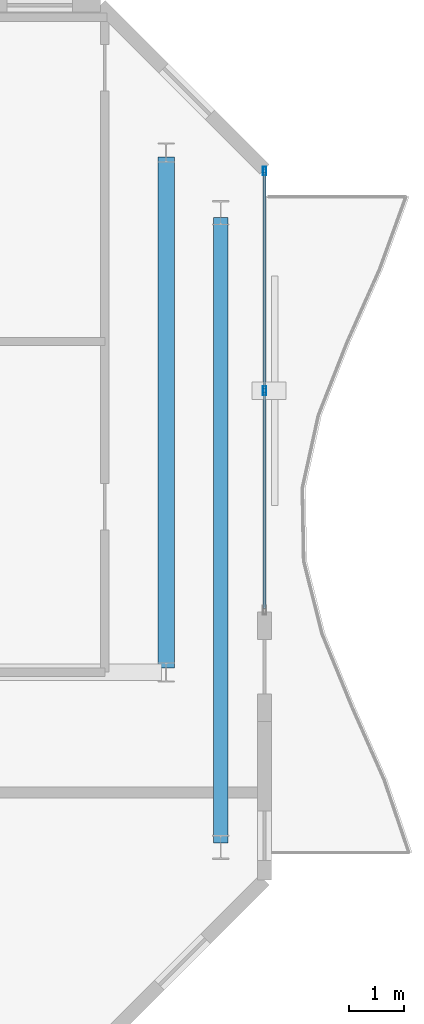
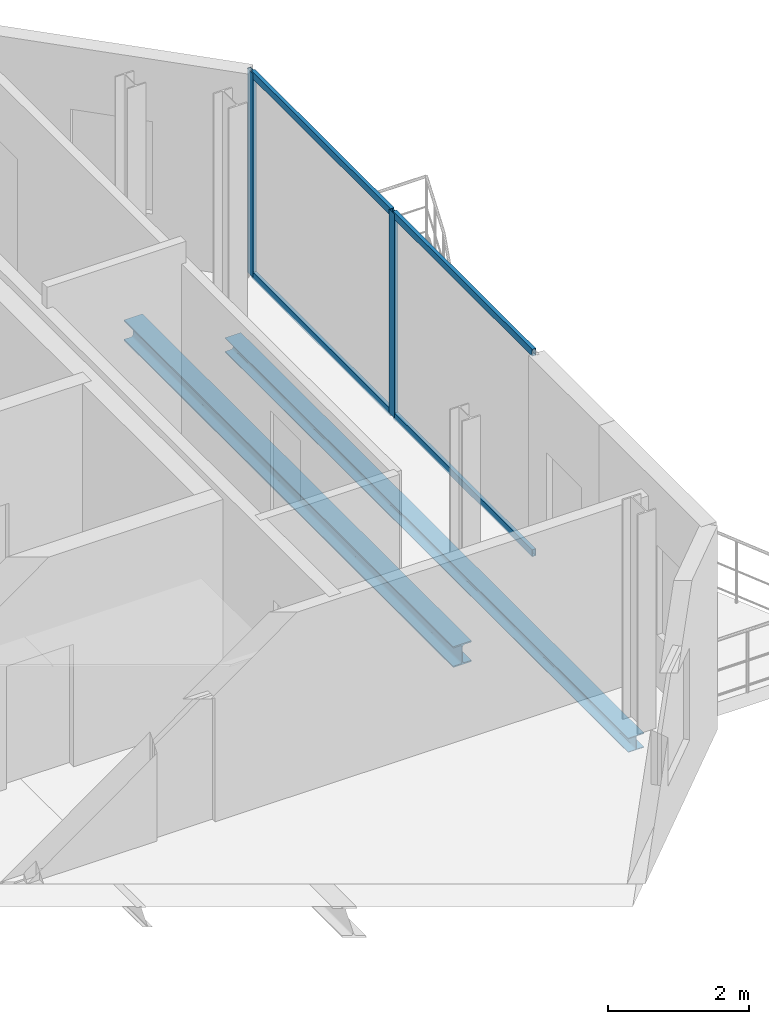
# One storey, part 15 of 23: 6 members, 2 beams, 1 element without a shape of its own.
"""IFC4 building model written with IfcOpenShell, lengths in metres."""

from ifc_helpers import new_model, si_unit, direction, frame, origin, origin_2d, place, context, subcontext, project, spatial, hollow_rectangle, i_section, extrude, material, layer, layer_set, material_profile, profile_set, type_object, element, aggregate, save


model = new_model("IFC4")

# Units and contexts
model_context = context("Model", 3, precision=1e-05, world=origin(), true_north=direction((0.0, 1.0)))
body_context = subcontext(model_context, "Body", "Model", "MODEL_VIEW")
ifc_project = project(units=[si_unit("LENGTHUNIT", "METRE"), si_unit("AREAUNIT", "SQUARE_METRE"), si_unit("VOLUMEUNIT", "CUBIC_METRE"), si_unit("PLANEANGLEUNIT", "RADIAN"), si_unit("MASSUNIT", "GRAM", prefix="KILO")], contexts=[model_context])

# Site, building, storey
site_placement = place(None, origin())
site = spatial("IfcSite", under=ifc_project, at=site_placement, CompositionType="ELEMENT")
building_placement = place(site_placement, origin())
building = spatial("IfcBuilding", under=site, at=building_placement, Name="Catumbela Crestline Tower", CompositionType="ELEMENT")
storey_placement = place(building_placement, frame((0.0, 0.0, 245.0)))
storey = spatial("IfcBuildingStorey", under=building, at=storey_placement, Name="L63", CompositionType="ELEMENT", Elevation=245.0)

# Beam
ifc_material_1 = material(Name="Structural steel S355J2", Category="steel")
ifc_material_profile_1 = material_profile(ifc_material_1, i_section(OverallWidth=0.3, OverallDepth=0.36, WebThickness=0.0125, FlangeThickness=0.0225, FilletRadius=0.027, at=origin_2d()), Name="HEB 360")
ifc_profile_set_1 = profile_set([ifc_material_profile_1], Name="Structural steel S355J2")
beam_type_1 = type_object("IfcBeamType", Name="BG-HEB360", PredefinedType="BEAM", material=ifc_profile_set_1)
beam_1_placement = place(storey_placement, frame((44.2, 30.88, -0.44), z_axis=(0.0, 1.0, 0.0), x_axis=(-1.0, 0.0, 0.0)))
element("IfcBeam", 1, at=beam_1_placement, inside=storey, type_object=beam_type_1, Name="L63 Beam BM-L63-SN19", PredefinedType="BEAM", context=body_context, shape_type="SweptSolid", body=[
    extrude(i_section(OverallWidth=0.3, OverallDepth=0.36, WebThickness=0.0125, FlangeThickness=0.0225, FilletRadius=0.027, at=origin_2d()), origin(), (0.0, 0.0, 1.0), 9.34),
])

# Curtain wall, members
ifc_material_2 = material(Name="Aluminium alloy AW-6060-T66", Category="aluminium")
ifc_layer = layer(ifc_material_2, 0.18, Name="Aluminium alloy AW-6060-T66")
ifc_layer_set = layer_set([ifc_layer], Name="Aluminium alloy AW-6060-T66")
curtain_wall_type = type_object("IfcCurtainWallType", Name="CWU-Z4", PredefinedType="USERDEFINED", material=ifc_layer_set)
curtain_wall_placement = place(storey_placement, origin())
curtain_wall = element("IfcCurtainWall", 2, at=curtain_wall_placement, inside=storey, type_object=curtain_wall_type, Name="L63 Unitised Curtain Wall CW-L63-E5S2", ObjectType="UNITISED", PredefinedType="USERDEFINED")
ifc_material_profile_2 = material_profile(ifc_material_2, hollow_rectangle(XDim=0.06, YDim=0.16, WallThickness=0.004, at=origin_2d()), Name="ALU 160x60x4")
ifc_profile_set_2 = profile_set([ifc_material_profile_2], Name="Aluminium alloy AW-6060-T66")
member_type_1 = type_object("IfcMemberType", Name="MUL-160X60", PredefinedType="MULLION", material=ifc_profile_set_2)
member_1_placement = place(storey_placement, frame((46.0, 35.95, 0.0), z_axis=(0.0, 0.0, 1.0), x_axis=(-1.0, 0.0, 0.0)))
member_1 = element("IfcMember", 3, at=member_1_placement, type_object=member_type_1, Name="CWU-Z4 mullion 2", PredefinedType="MULLION", context=body_context, shape_type="SweptSolid", body=[
    extrude(hollow_rectangle(XDim=0.06, YDim=0.16, WallThickness=0.004, at=origin_2d()), origin(), (0.0, 0.0, 1.0), 3.53),
])
member_2_placement = place(storey_placement, frame((46.0, 39.9675, 0.0), z_axis=(0.0, 0.0, 1.0), x_axis=(-1.0, 0.0, 0.0)))
member_2 = element("IfcMember", 4, at=member_2_placement, type_object=member_type_1, Name="CWU-Z4 mullion 3", PredefinedType="MULLION", context=body_context, shape_type="SweptSolid", body=[
    extrude(hollow_rectangle(XDim=0.06, YDim=0.16, WallThickness=0.004, at=origin_2d()), origin(), (0.0, 0.0, 1.0), 3.53),
])

# Beam
ifc_material_profile_3 = material_profile(ifc_material_1, i_section(OverallWidth=0.26, OverallDepth=0.25, WebThickness=0.0075, FlangeThickness=0.0125, FilletRadius=0.024, at=origin_2d()), Name="HEA 260")
ifc_profile_set_3 = profile_set([ifc_material_profile_3], Name="Structural steel S355J2")
beam_type_2 = type_object("IfcBeamType", Name="BS-HEA260", PredefinedType="SPANDREL", material=ifc_profile_set_3)
beam_2_placement = place(storey_placement, frame((45.2, 27.68, -0.385), z_axis=(0.0, 1.0, 0.0), x_axis=(-1.0, 0.0, 0.0)))
element("IfcBeam", 5, at=beam_2_placement, inside=storey, type_object=beam_type_2, Name="L63 Spandrel SP-L63-SN20", PredefinedType="SPANDREL", context=body_context, shape_type="SweptSolid", body=[
    extrude(i_section(OverallWidth=0.26, OverallDepth=0.25, WebThickness=0.0075, FlangeThickness=0.0125, FilletRadius=0.024, at=origin_2d()), origin(), (0.0, 0.0, 1.0), 11.44),
])

# Member
ifc_material_profile_4 = material_profile(ifc_material_2, hollow_rectangle(XDim=0.06, YDim=0.12, WallThickness=0.0035, at=origin_2d()), Name="ALU 120x60x3.5")
ifc_profile_set_4 = profile_set([ifc_material_profile_4], Name="Aluminium alloy AW-6060-T66")
member_type_2 = type_object("IfcMemberType", Name="TRN-120X60", PredefinedType="USERDEFINED", material=ifc_profile_set_4)
member_3_placement = place(storey_placement, frame((46.0, 31.965, 0.03), z_axis=(0.0, 1.0, 0.0), x_axis=(-1.0, 0.0, 0.0)))
member_3 = element("IfcMember", 6, at=member_3_placement, type_object=member_type_2, Name="CWU-Z4 transom 1.1", ObjectType="TRANSOM", PredefinedType="USERDEFINED", context=body_context, shape_type="SweptSolid", body=[
    extrude(hollow_rectangle(XDim=0.06, YDim=0.12, WallThickness=0.0035, at=origin_2d()), origin(), (0.0, 0.0, 1.0), 3.9525),
])

member_4_placement = place(storey_placement, frame((46.0, 31.965, 3.5), z_axis=(0.0, 1.0, 0.0), x_axis=(-1.0, 0.0, 0.0)))
member_4 = element("IfcMember", 7, at=member_4_placement, type_object=member_type_2, Name="CWU-Z4 transom 1.2", ObjectType="TRANSOM", PredefinedType="USERDEFINED", context=body_context, shape_type="SweptSolid", body=[
    extrude(hollow_rectangle(XDim=0.06, YDim=0.12, WallThickness=0.0035, at=origin_2d()), origin(), (0.0, 0.0, 1.0), 3.9525),
])

member_5_placement = place(storey_placement, frame((46.0, 35.9825, 0.03), z_axis=(0.0, 1.0, 0.0), x_axis=(-1.0, 0.0, 0.0)))
member_5 = element("IfcMember", 8, at=member_5_placement, type_object=member_type_2, Name="CWU-Z4 transom 2.1", ObjectType="TRANSOM", PredefinedType="USERDEFINED", context=body_context, shape_type="SweptSolid", body=[
    extrude(hollow_rectangle(XDim=0.06, YDim=0.12, WallThickness=0.0035, at=origin_2d()), origin(), (0.0, 0.0, 1.0), 3.9525),
])

member_6_placement = place(storey_placement, frame((46.0, 35.9825, 3.5), z_axis=(0.0, 1.0, 0.0), x_axis=(-1.0, 0.0, 0.0)))
member_6 = element("IfcMember", 9, at=member_6_placement, type_object=member_type_2, Name="CWU-Z4 transom 2.2", ObjectType="TRANSOM", PredefinedType="USERDEFINED", context=body_context, shape_type="SweptSolid", body=[
    extrude(hollow_rectangle(XDim=0.06, YDim=0.12, WallThickness=0.0035, at=origin_2d()), origin(), (0.0, 0.0, 1.0), 3.9525),
])

aggregate(curtain_wall, [member_1, member_2, member_3, member_4, member_5, member_6])

save(model, "model.ifc")
